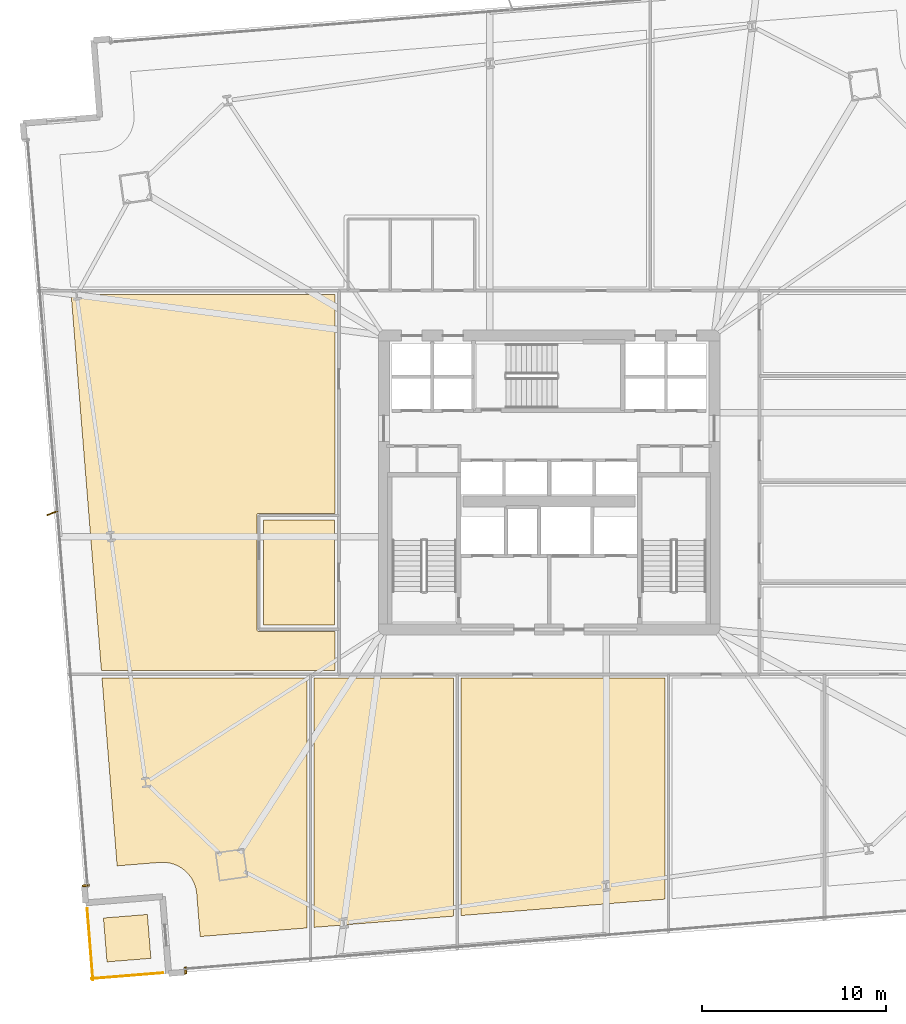
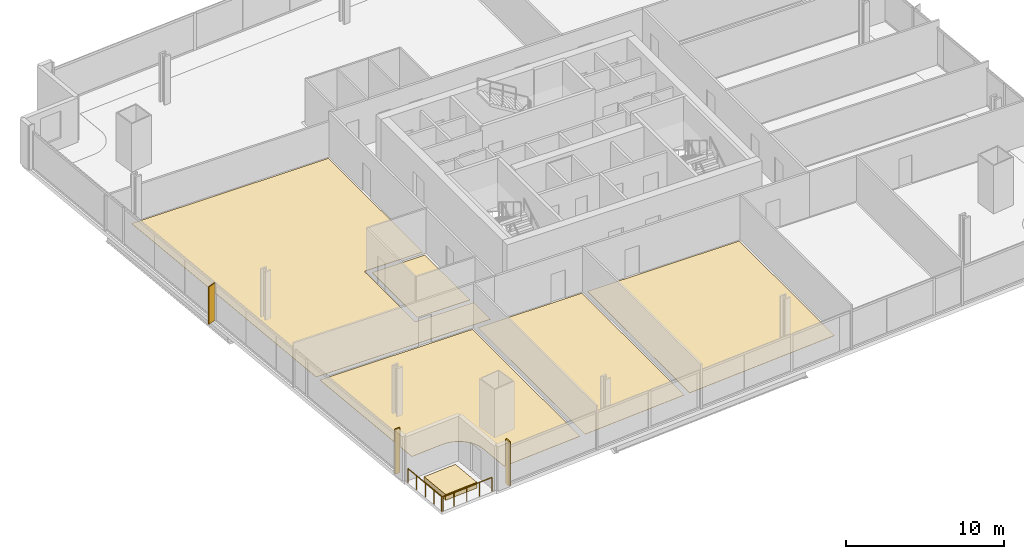
# One storey, part 29 of 33: 8 coverings, 2 railings, 1 shading device.
"""IFC4 building model written with IfcOpenShell, lengths in metres."""

from ifc_helpers import new_model, si_unit, direction, frame, origin, origin_2d, place, context, subcontext, project, spatial, polyline, rectangle, outline, extrude, source, transform, mapped, material, layer, layer_set, type_object, element, save


model = new_model("IFC4")

# Units and contexts
model_context = context("Model", 3, precision=1e-05, world=origin(), true_north=direction((0.0, 1.0)))
body_context = subcontext(model_context, "Body", "Model", "MODEL_VIEW")
ifc_project = project(units=[si_unit("LENGTHUNIT", "METRE"), si_unit("AREAUNIT", "SQUARE_METRE"), si_unit("VOLUMEUNIT", "CUBIC_METRE"), si_unit("PLANEANGLEUNIT", "RADIAN"), si_unit("MASSUNIT", "GRAM", prefix="KILO")], contexts=[model_context])

# Site, building, storey
site_placement = place(None, origin())
site = spatial("IfcSite", under=ifc_project, at=site_placement, CompositionType="ELEMENT")
building_placement = place(site_placement, origin())
building = spatial("IfcBuilding", under=site, at=building_placement, Name="Haldenkirk Collegiate Tower", CompositionType="ELEMENT")
storey_placement = place(building_placement, frame((0.0, 0.0, 43.949951171875)))
storey = spatial("IfcBuildingStorey", under=building, at=storey_placement, Name="L09", CompositionType="ELEMENT", Elevation=43.949951171875)

# Coverings
ifc_material_1 = material(Name="Polished collegiate terrazzo", Category="concrete")
ifc_layer_1 = layer(ifc_material_1, 0.02490234375)
ifc_layer_set_1 = layer_set([ifc_layer_1], Name="Polished collegiate terrazzo")
covering_type_1 = type_object("IfcCoveringType", Name="COV-FLOOR-TERRAZZO", PredefinedType="FLOORING", material=ifc_layer_set_1)
covering_1_placement = place(storey_placement, origin())
element("IfcCovering", 1, at=covering_1_placement, inside=storey, type_object=covering_type_1, Name="L09 academic room finish 02", PredefinedType="FLOORING", context=body_context, shape_type="SweptSolid", body=[
    extrude(outline(polyline([(16.517822265625, 4.444580078125), (16.511474609375, 4.454345703125), (16.41162109375, 4.593994140625), (16.404296875, 4.603271484375), (16.29150390625, 4.732666015625), (16.283203125, 4.7412109375), (16.157958984375, 4.858642578125), (16.14892578125, 4.8662109375), (16.012939453125, 4.97119140625), (16.003173828125, 4.977783203125), (15.857421875, 5.068603515625), (15.84716796875, 5.074462890625), (15.693359375, 5.150634765625), (15.6826171875, 5.1552734375), (15.52197265625, 5.216064453125), (15.5107421875, 5.2197265625), (15.3447265625, 5.264404296875), (15.333251953125, 5.266845703125), (15.163818359375, 5.295166015625), (15.152099609375, 5.29638671875), (14.98095703125, 5.307861328125), (14.96923828125, 5.30810546875), (14.797607421875, 5.302734375), (14.79150390625, 5.302490234375), (12.468994140625, 5.115478515625), (11.6455078125, 15.35009765625), (22.800048828125, 15.35009765625), (22.800048828125, 1.733154296875), (16.992431640625, 1.265869140625), (16.8056640625, 3.58837890625), (16.804931640625, 3.59423828125), (16.78271484375, 3.7646484375), (16.78076171875, 3.776123046875), (16.741943359375, 3.943359375), (16.73876953125, 3.954833984375), (16.683837890625, 4.11767578125), (16.679443359375, 4.12841796875), (16.60888671875, 4.284912109375), (16.603515625, 4.295654296875), (16.517822265625, 4.444580078125)])), origin(), (0.0, 0.0, 1.0), 0.025146484375),
])
covering_2_placement = place(storey_placement, origin())
element("IfcCovering", 2, at=covering_2_placement, inside=storey, type_object=covering_type_1, Name="L09 academic room finish 04", PredefinedType="FLOORING", context=body_context, shape_type="SweptSolid", body=[
    extrude(outline(polyline([(31.199951171875, 2.408935546875), (31.199951171875, 15.35009765625), (42.300048828125, 15.35009765625), (42.300048828125, 3.302001953125), (31.199951171875, 2.408935546875)])), origin(), (0.0, 0.0, 1.0), 0.025146484375),
])
ifc_material_2 = material(Name="Engineered collegiate oak acoustic flooring", Category="wood")
ifc_layer_2 = layer(ifc_material_2, 0.02197265625)
ifc_layer_set_2 = layer_set([ifc_layer_2], Name="Engineered collegiate oak acoustic flooring")
covering_type_2 = type_object("IfcCoveringType", Name="COV-FLOOR-TIMBER", PredefinedType="FLOORING", material=ifc_layer_set_2)
covering_3_placement = place(storey_placement, origin())
element("IfcCovering", 3, at=covering_3_placement, inside=storey, type_object=covering_type_2, Name="L09 academic room finish 01", PredefinedType="FLOORING", context=body_context, shape_type="SweptSolid", body=[
    extrude(outline(polyline([(20.43994140625, 18.239990234375), (20.43994140625, 23.9599609375), (24.300048828125, 23.9599609375), (24.300048828125, 18.239990234375), (20.43994140625, 18.239990234375)])), origin(), (0.0, 0.0, 1.0), 0.02197265625),
])
covering_4_placement = place(storey_placement, origin())
element("IfcCovering", 4, at=covering_4_placement, inside=storey, type_object=covering_type_2, Name="L09 academic room finish 03", PredefinedType="FLOORING", context=body_context, shape_type="SweptSolid", body=[
    extrude(outline(polyline([(23.199951171875, 1.765380859375), (23.199951171875, 15.35009765625), (30.800048828125, 15.35009765625), (30.800048828125, 2.376953125), (23.199951171875, 1.765380859375)])), origin(), (0.0, 0.0, 1.0), 0.02197265625),
])
covering_5_placement = place(storey_placement, origin())
element("IfcCovering", 5, at=covering_5_placement, inside=storey, type_object=covering_type_2, Name="L09 academic room finish 09", PredefinedType="FLOORING", context=body_context, shape_type="SweptSolid", body=[
    extrude(outline(polyline([(20.199951171875, 24.320068359375), (20.188232421875, 24.3193359375), (20.176513671875, 24.317626953125), (20.165283203125, 24.314697265625), (20.154052734375, 24.310791015625), (20.143310546875, 24.305908203125), (20.13330078125, 24.2998046875), (20.123779296875, 24.292724609375), (20.114990234375, 24.284912109375), (20.107177734375, 24.276123046875), (20.10009765625, 24.2666015625), (20.09423828125, 24.256591796875), (20.089111328125, 24.245849609375), (20.085205078125, 24.23486328125), (20.082275390625, 24.223388671875), (20.08056640625, 24.2119140625), (20.080078125, 24.199951171875), (20.080078125, 18.0), (20.08056640625, 17.98828125), (20.082275390625, 17.9765625), (20.085205078125, 17.965087890625), (20.089111328125, 17.9541015625), (20.09423828125, 17.943359375), (20.10009765625, 17.933349609375), (20.107177734375, 17.923828125), (20.114990234375, 17.9150390625), (20.123779296875, 17.9072265625), (20.13330078125, 17.900146484375), (20.143310546875, 17.894287109375), (20.154052734375, 17.88916015625), (20.165283203125, 17.88525390625), (20.176513671875, 17.88232421875), (20.188232421875, 17.880615234375), (20.199951171875, 17.8798828125), (24.35009765625, 17.8798828125), (24.35009765625, 15.75), (11.61328125, 15.75), (9.964111328125, 36.25), (24.35009765625, 36.25), (24.35009765625, 24.320068359375), (20.199951171875, 24.320068359375)])), origin(), (0.0, 0.0, 1.0), 0.02197265625),
])
ifc_material_3 = material(Name="Precast concrete f'c 40 MPa", Category="concrete")
ifc_layer_3 = layer(ifc_material_3, 0.449951171875)
ifc_layer_set_3 = layer_set([ifc_layer_3], Name="Precast concrete f'c 40 MPa")
covering_type_3 = type_object("IfcCoveringType", Name="COV-PLANTER-450", PredefinedType="USERDEFINED", material=ifc_layer_set_3)
covering_6_placement = place(storey_placement, origin())
element("IfcCovering", 6, at=covering_6_placement, inside=storey, type_object=covering_type_3, Name="L09 planted garden planter bed", ObjectType="PLANTER", PredefinedType="USERDEFINED", context=body_context, shape_type="SweptSolid", body=[
    extrude(outline(polyline([(11.916748046875, -0.115478515625), (11.724365234375, 2.276611328125), (14.11669921875, 2.46923828125), (14.30908203125, 0.076904296875), (11.916748046875, -0.115478515625)])), origin(), (0.0, 0.0, 1.0), 0.449951171875),
])

# Railings
ifc_material_4 = material(Name="Anodised architectural bronze aluminium", Category="aluminium")
railing_type = type_object("IfcRailingType", Name="RLG-TERR-BALUSTRADE-1100", PredefinedType="BALUSTRADE", material=ifc_material_4)
railing_1_placement = place(storey_placement, frame((11.087158203125, -1.02490234375, 0.0)))
element("IfcRailing", 7, at=railing_1_placement, inside=storey, type_object=railing_type, Name="L09 terrace guard balustrade 1-1", PredefinedType="BALUSTRADE", context=body_context, shape_type="SweptSolid", body=[
    extrude(rectangle(XDim=0.048095703125, YDim=0.048095703125, at=origin_2d()), frame((0.0, 0.0, 1.076171875), z_axis=(0.996781577082, 0.080165376504, 0.0), x_axis=(-0.080165376504, 0.996781577082, 0.0)), (0.0, 0.0, 1.0), 3.8798828125),
    extrude(rectangle(XDim=0.0419921875, YDim=0.0419921875, at=origin_2d()), origin(), (0.0, 0.0, 1.0), 1.052001953125),
    extrude(rectangle(XDim=0.0419921875, YDim=0.0419921875, at=origin_2d()), frame((0.966796875, 0.07763671875, 0.0)), (0.0, 0.0, 1.0), 1.052001953125),
    extrude(rectangle(XDim=0.0419921875, YDim=0.0419921875, at=origin_2d()), frame((1.93359375, 0.155517578125, 0.0)), (0.0, 0.0, 1.0), 1.052001953125),
    extrude(rectangle(XDim=0.0419921875, YDim=0.0419921875, at=origin_2d()), frame((2.900634765625, 0.2333984375, 0.0)), (0.0, 0.0, 1.0), 1.052001953125),
    extrude(rectangle(XDim=0.0419921875, YDim=0.0419921875, at=origin_2d()), frame((3.867431640625, 0.31103515625, 0.0)), (0.0, 0.0, 1.0), 1.052001953125),
])
railing_2_placement = place(storey_placement, frame((10.840576171875, 2.787353515625, 0.0)))
element("IfcRailing", 8, at=railing_2_placement, inside=storey, type_object=railing_type, Name="L09 terrace guard balustrade 4-1", PredefinedType="BALUSTRADE", context=body_context, shape_type="SweptSolid", body=[
    extrude(rectangle(XDim=0.048095703125, YDim=0.048095703125, at=origin_2d()), frame((0.0, 0.0, 1.076171875), z_axis=(0.080165376504, -0.996781577082, 0.0), x_axis=(0.996781577082, 0.080165376504, 0.0)), (0.0, 0.0, 1.0), 3.8798828125),
    extrude(rectangle(XDim=0.0419921875, YDim=0.0419921875, at=origin_2d()), origin(), (0.0, 0.0, 1.0), 1.052001953125),
    extrude(rectangle(XDim=0.0419921875, YDim=0.0419921875, at=origin_2d()), frame((0.07763671875, -0.966796875, 0.0)), (0.0, 0.0, 1.0), 1.052001953125),
    extrude(rectangle(XDim=0.0419921875, YDim=0.0419921875, at=origin_2d()), frame((0.155517578125, -1.93359375, 0.0)), (0.0, 0.0, 1.0), 1.052001953125),
    extrude(rectangle(XDim=0.0419921875, YDim=0.0419921875, at=origin_2d()), frame((0.2333984375, -2.900634765625, 0.0)), (0.0, 0.0, 1.0), 1.052001953125),
    extrude(rectangle(XDim=0.0419921875, YDim=0.0419921875, at=origin_2d()), frame((0.31103515625, -3.867431640625, 0.0)), (0.0, 0.0, 1.0), 1.052001953125),
])

# Coverings
ifc_layer_4 = layer(ifc_material_4, 0.06005859375)
ifc_layer_set_4 = layer_set([ifc_layer_4], Name="Anodised architectural bronze aluminium")
covering_type_4 = type_object("IfcCoveringType", Name="COV-CLAD-BRONZE-60", PredefinedType="CLADDING", material=ifc_layer_set_4)
shared_shape_1 = source(origin(), body_context, "Body", "SweptSolid", [
    extrude(rectangle(XDim=0.10009765625, YDim=0.3798828125, at=origin_2d()), origin(), (0.0, 0.0, 1.0), 3.43994140625),
])
for number, where, z_axis, x_axis, name in (
    (9, (16.1982421875, -0.583740234375, 0.0), (0.0, 0.0, 1.0), (-0.996778878456, -0.080198924329, 0.0), "L09 recessed curtain-wall bronze jamb closure SJR"),
    (10, (10.770263671875, 4.035888671875, 0.0), (0.0, 0.0, 1.0), (-0.080198924329, 0.996778878456, 0.0), "L09 recessed curtain-wall bronze jamb closure WJL"),
):
    element("IfcCovering", number, at=place(storey_placement, frame(where, z_axis=z_axis, x_axis=x_axis)), inside=storey, type_object=covering_type_4, Name=name, PredefinedType="CLADDING", context=body_context, shape_type="MappedRepresentation", body=[
        mapped(shared_shape_1, transform((0.0, 0.0, 0.0), x_axis=(1.0, 0.0, 0.0), y_axis=(0.0, 1.0, 0.0), z_axis=(0.0, 0.0, 1.0), scale=1.0)),
    ])

# Shading device
ifc_layer_5 = layer(ifc_material_4, 0.06494140625)
ifc_layer_set_5 = layer_set([ifc_layer_5], Name="Anodised architectural bronze aluminium")
shading_device_type = type_object("IfcShadingDeviceType", Name="SHD-FIN-BRONZE-620", PredefinedType="USERDEFINED", material=ifc_layer_set_5)
shared_shape_2 = source(origin(), body_context, "Body", "SweptSolid", [
    extrude(rectangle(XDim=0.6201171875, YDim=0.06494140625, at=origin_2d()), origin(), (0.0, 0.0, 1.0), 2.89111328125),
])
shading_device_placement = place(storey_placement, frame((8.93212890625, 24.32373046875, 0.0), z_axis=(0.0, 0.0, 1.0), x_axis=(-0.936059535739, -0.351841648405, 0.0)))
element("IfcShadingDevice", 11, at=shading_device_placement, inside=storey, type_object=shading_device_type, Name="L09 folded bronze solar fin 1", ObjectType="FIN", PredefinedType="USERDEFINED", context=body_context, shape_type="MappedRepresentation", body=[
    mapped(shared_shape_2, transform((0.0, 0.0, 0.0), x_axis=(1.0, 0.0, 0.0), y_axis=(0.0, 1.0, 0.0), z_axis=(0.0, 0.0, 1.0), scale=1.0)),
])

save(model, "model.ifc")
